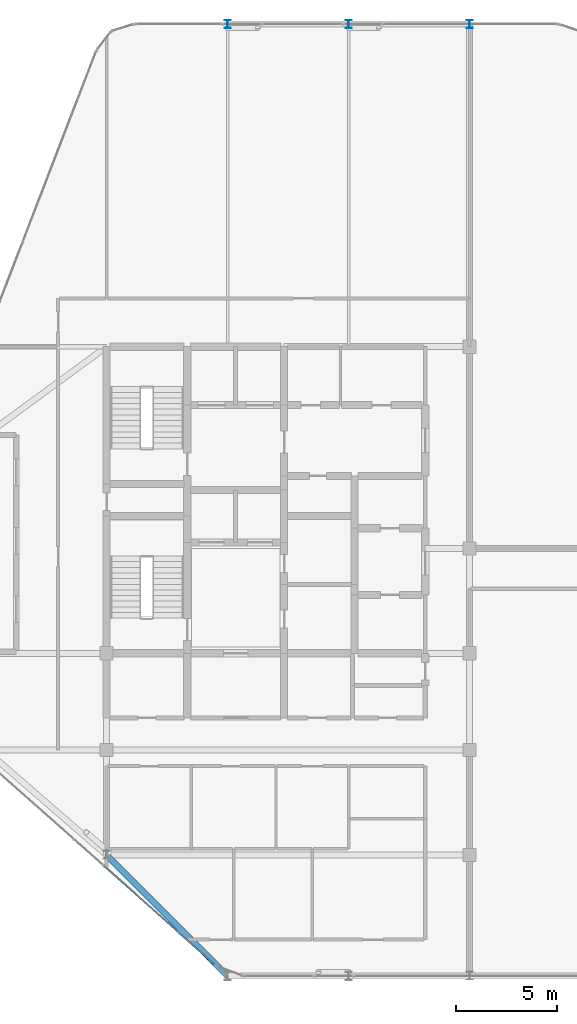
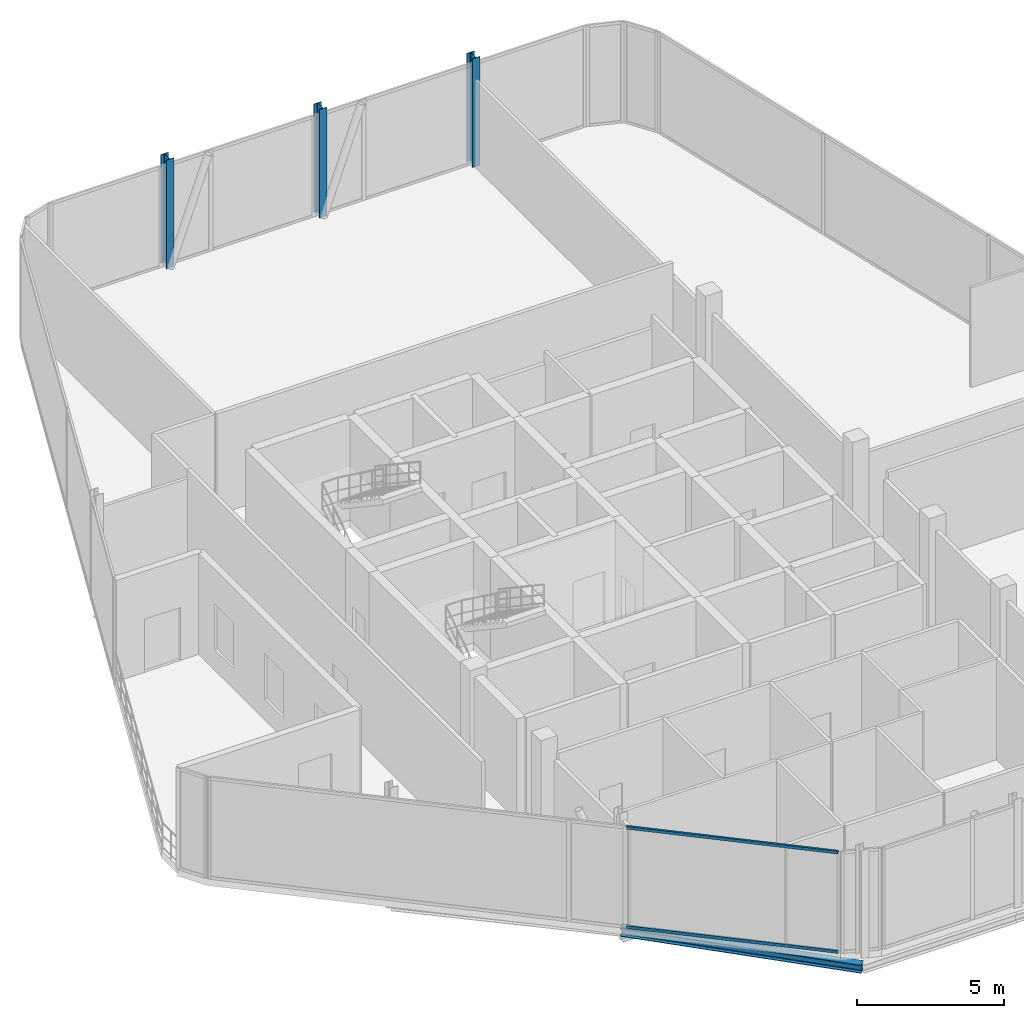
# One storey, part 2 of 24: 3 columns, 2 members, 1 beam, 1 element without a shape of its own.
"""IFC4 building model written with IfcOpenShell, lengths in metres."""

from ifc_helpers import new_model, si_unit, direction, frame, origin, origin_2d, place, context, subcontext, project, spatial, hollow_rectangle, i_section, extrude, material, layer, layer_set, material_profile, profile_set, type_object, element, aggregate, save


model = new_model("IFC4")

# Units and contexts
model_context = context("Model", 3, precision=1e-05, world=origin(), true_north=direction((0.0, 1.0)))
body_context = subcontext(model_context, "Body", "Model", "MODEL_VIEW")
ifc_project = project(units=[si_unit("LENGTHUNIT", "METRE"), si_unit("AREAUNIT", "SQUARE_METRE"), si_unit("VOLUMEUNIT", "CUBIC_METRE"), si_unit("PLANEANGLEUNIT", "RADIAN"), si_unit("MASSUNIT", "GRAM", prefix="KILO")], contexts=[model_context])

# Site, building, storey
site_placement = place(None, origin())
site = spatial("IfcSite", under=ifc_project, at=site_placement, CompositionType="ELEMENT")
building_placement = place(site_placement, origin())
building = spatial("IfcBuilding", under=site, at=building_placement, Name="Keshet Zoharim Tower", CompositionType="ELEMENT")
storey_placement = place(building_placement, frame((0.0, 0.0, 299.10009765625)))
storey = spatial("IfcBuildingStorey", under=building, at=storey_placement, Name="L75", CompositionType="ELEMENT", Elevation=299.10009765625)

# Columns
ifc_material_1 = material(Name="Steel S355", Category="steel")
ifc_material_profile_1 = material_profile(ifc_material_1, i_section(OverallWidth=0.300048828125, OverallDepth=0.39990234375, WebThickness=0.013427734375, FlangeThickness=0.02392578125, FilletRadius=0.027099609375, at=origin_2d()), Name="HEB400")
ifc_profile_set_1 = profile_set([ifc_material_profile_1], Name="Steel S355")
column_type = type_object("IfcColumnType", Name="COL-HEB400", PredefinedType="COLUMN", material=ifc_profile_set_1)
for number, where, z_axis, x_axis, name in (
    (1, (21.0, 53.89990234375, 0.0), (0.0, 0.0, 1.0), (1.0, 0.0, 0.0), "L75 Column 4L"),
    (2, (27.0, 53.89990234375, 0.0), (0.0, 0.0, 1.0), (1.0, 0.0, 0.0), "L75 Column 5L"),
    (3, (33.0, 53.89990234375, 0.0), (0.0, 0.0, 1.0), (1.0, 0.0, 0.0), "L75 Column 6L"),
):
    element("IfcColumn", number, at=place(storey_placement, frame(where, z_axis=z_axis, x_axis=x_axis)), inside=storey, type_object=column_type, Name=name, PredefinedType="COLUMN", context=body_context, shape_type="SweptSolid", body=[
        extrude(i_section(OverallWidth=0.300048828125, OverallDepth=0.39990234375, WebThickness=0.013427734375, FlangeThickness=0.02392578125, FilletRadius=0.027099609375, at=origin_2d()), origin(), (0.0, 0.0, 1.0), 4.5),
    ])

# Beam
ifc_material_profile_2 = material_profile(ifc_material_1, i_section(OverallWidth=0.300048828125, OverallDepth=0.340087890625, WebThickness=0.011962890625, FlangeThickness=0.021484375, FilletRadius=0.027099609375, at=origin_2d()), Name="HEB340")
ifc_profile_set_2 = profile_set([ifc_material_profile_2], Name="Steel S355")
beam_type = type_object("IfcBeamType", Name="BM-SPN-HB340", PredefinedType="SPANDREL", material=ifc_profile_set_2)
beam_placement = place(storey_placement, frame((21.0, 6.699951171875, -0.489990234375), z_axis=(-0.707106781187, 0.707106781187, 0.0), x_axis=(-0.707106781187, -0.707106781187, 0.0)))
element("IfcBeam", 4, at=beam_placement, inside=storey, type_object=beam_type, Name="L75 Perimeter Spandrel Beam 01", PredefinedType="SPANDREL", context=body_context, shape_type="SweptSolid", body=[
    extrude(i_section(OverallWidth=0.300048828125, OverallDepth=0.340087890625, WebThickness=0.011962890625, FlangeThickness=0.021484375, FilletRadius=0.027099609375, at=origin_2d()), origin(), (0.0, 0.0, 1.0), 8.4853515625),
])

# Curtain wall, members
ifc_material_2 = material(Name="Aluminium 6063-T6", Category="aluminium")
ifc_layer = layer(ifc_material_2, 0.260009765625)
ifc_layer_set = layer_set([ifc_layer], Name="Aluminium 6063-T6")
curtain_wall_type = type_object("IfcCurtainWallType", Name="CW-SYS-06", PredefinedType="NOTDEFINED", material=ifc_layer_set)
curtain_wall_placement = place(storey_placement, origin())
curtain_wall = element("IfcCurtainWall", 5, at=curtain_wall_placement, inside=storey, type_object=curtain_wall_type, Name="L75 Unitised Curtain Wall 14", PredefinedType="NOTDEFINED")
ifc_material_profile_3 = material_profile(ifc_material_2, hollow_rectangle(XDim=0.074951171875, YDim=0.1201171875, WallThickness=0.00390625, at=origin_2d()), Name="TRN-75x120")
ifc_profile_set_3 = profile_set([ifc_material_profile_3], Name="Aluminium 6063-T6")
member_type = type_object("IfcMemberType", Name="CWT-T12", PredefinedType="USERDEFINED", material=ifc_profile_set_3)
member_1_placement = place(storey_placement, frame((20.379638671875, 7.25146484375, 0.034912109375), z_axis=(-0.747401980297, 0.664372094423, 0.0), x_axis=(-0.664372094423, -0.747401980297, 0.0)))
member_1 = element("IfcMember", 6, at=member_1_placement, type_object=member_type, Name="CW-06 transom 1.1", ObjectType="TRANSOM", PredefinedType="USERDEFINED", context=body_context, shape_type="SweptSolid", body=[
    extrude(hollow_rectangle(XDim=0.074951171875, YDim=0.1201171875, WallThickness=0.00390625, at=origin_2d()), origin(), (0.0, 0.0, 1.0), 7.34228515625),
])
member_2_placement = place(storey_placement, frame((20.379638671875, 7.25146484375, 4.15478515625), z_axis=(-0.747401980297, 0.664372094423, 0.0), x_axis=(-0.664372094423, -0.747401980297, 0.0)))
member_2 = element("IfcMember", 7, at=member_2_placement, type_object=member_type, Name="CW-06 transom 1.2", ObjectType="TRANSOM", PredefinedType="USERDEFINED", context=body_context, shape_type="SweptSolid", body=[
    extrude(hollow_rectangle(XDim=0.074951171875, YDim=0.1201171875, WallThickness=0.00390625, at=origin_2d()), origin(), (0.0, 0.0, 1.0), 7.34228515625),
])
aggregate(curtain_wall, [member_1, member_2])

save(model, "model.ifc")
